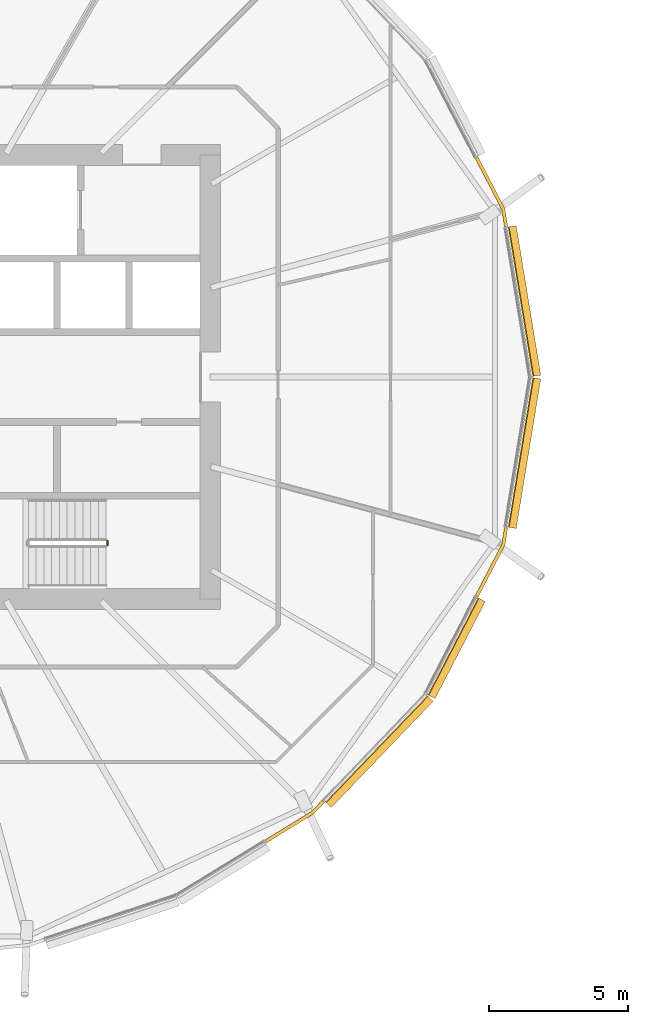
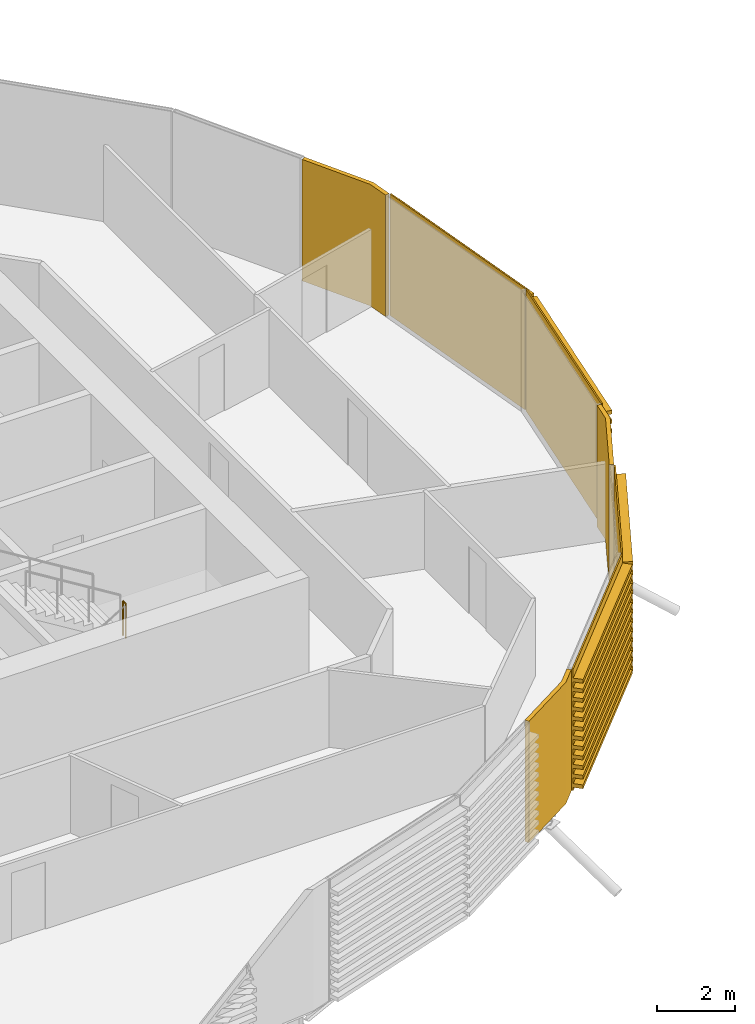
# One storey, part 35 of 39: 7 coverings, 1 railing.
"""IFC4 building model written with IfcOpenShell, lengths in metres."""

from ifc_helpers import new_model, si_unit, direction, frame, origin, origin_2d, place, context, subcontext, project, spatial, polyline, circle, outline, extrude, material, layer, layer_set, material_profile, profile_set, type_object, element, save


model = new_model("IFC4")

# Units and contexts
model_context = context("Model", 3, precision=1e-05, world=origin(), true_north=direction((0.0, 1.0)))
body_context = subcontext(model_context, "Body", "Model", "MODEL_VIEW")
ifc_project = project(units=[si_unit("LENGTHUNIT", "METRE"), si_unit("AREAUNIT", "SQUARE_METRE"), si_unit("VOLUMEUNIT", "CUBIC_METRE"), si_unit("PLANEANGLEUNIT", "RADIAN"), si_unit("MASSUNIT", "GRAM", prefix="KILO")], contexts=[model_context])

# Site, building, storey
site_placement = place(None, origin())
site = spatial("IfcSite", under=ifc_project, at=site_placement, CompositionType="ELEMENT")
building_placement = place(site_placement, origin())
building = spatial("IfcBuilding", under=site, at=building_placement, Name="Rimbun Link Towers", CompositionType="ELEMENT")
storey_placement = place(building_placement, frame((0.0, 0.0, 96.800048828125)))
storey = spatial("IfcBuildingStorey", under=building, at=storey_placement, Name="L23", CompositionType="ELEMENT", Elevation=96.800048828125)

# Coverings
ifc_material_1 = material(Name="Terracotta", Category="masonry")
ifc_layer = layer(ifc_material_1, 0.1201171875)
ifc_layer_set = layer_set([ifc_layer], Name="LINK PIER terracotta cladding 120")
covering_type_1 = type_object("IfcCoveringType", Name="LINK PIER terracotta cladding 120", PredefinedType="CLADDING", material=ifc_layer_set)
covering_1_placement = place(storey_placement, origin())
element("IfcCovering", 1, at=covering_1_placement, inside=storey, type_object=covering_type_1, Name="LINK PIER cladding", PredefinedType="CLADDING", context=body_context, shape_type="SweptSolid", body=[
    extrude(outline(polyline([(-10.198486328125, 7.8681640625), (-9.247314453125, 6.029541015625), (-9.146484375, 5.417724609375), (-9.028076171875, 5.437255859375), (-9.1318359375, 6.06787109375), (-10.091796875, 7.923095703125), (-10.198486328125, 7.8681640625)])), origin(), (0.0, 0.0, 1.0), 3.800048828125),
])
covering_2_placement = place(storey_placement, origin())
element("IfcCovering", 2, at=covering_2_placement, inside=storey, type_object=covering_type_1, Name="LINK PIER cladding", PredefinedType="CLADDING", context=body_context, shape_type="SweptSolid", body=[
    extrude(outline(polyline([(-15.7080078125, -15.236083984375), (-16.102294921875, -15.647705078125), (-17.78125, -16.678466796875), (-17.718505859375, -16.78076171875), (-16.0263671875, -15.74169921875), (-15.621337890625, -15.319091796875), (-15.7080078125, -15.236083984375)])), origin(), (0.0, 0.0, 1.0), 3.800048828125),
])
covering_3_placement = place(storey_placement, origin())
element("IfcCovering", 3, at=covering_3_placement, inside=storey, type_object=covering_type_1, Name="LINK PIER cladding", PredefinedType="CLADDING", context=body_context, shape_type="SweptSolid", body=[
    extrude(outline(polyline([(-9.146484375, -5.417724609375), (-9.247314453125, -6.029541015625), (-10.198486328125, -7.8681640625), (-10.091796875, -7.923095703125), (-9.1318359375, -6.06787109375), (-9.028076171875, -5.437255859375), (-9.146484375, -5.417724609375)])), origin(), (0.0, 0.0, 1.0), 3.800048828125),
])

# Railing
ifc_material_2 = material(Name="Stainless steel grade 316", Category="steel")
railing_type = type_object("IfcRailingType", Name="Stair guard", PredefinedType="GUARDRAIL", material=ifc_material_2)
railing_placement = place(storey_placement, frame((-23.449951171875, -6.050048828125, 1.89990234375)))
element("IfcRailing", 4, at=railing_placement, inside=storey, type_object=railing_type, Name="L23 ST2 stair guard 2", PredefinedType="GUARDRAIL", context=body_context, shape_type="SweptSolid", body=[
    extrude(circle(Radius=0.02392578125, at=origin_2d()), frame((0.0, 0.0, 1.076171875), z_axis=(0.0, 1.0, 0.0), x_axis=(-1.0, 0.0, 0.0)), (0.0, 0.0, 1.0), 0.150146484375),
    extrude(circle(Radius=0.02099609375, at=origin_2d()), origin(), (0.0, 0.0, 1.0), 1.052001953125),
    extrude(circle(Radius=0.02099609375, at=origin_2d()), frame((0.0, 0.150146484375, 0.0)), (0.0, 0.0, 1.0), 1.052001953125),
])

# Coverings
ifc_material_3 = material(Name="Terracotta", Category="masonry")
ifc_material_profile = material_profile(ifc_material_3, outline(polyline([(0.123046875, 0.0), (0.1630859375, 0.0), (0.1630859375, 0.10009765625), (0.423095703125, 0.10009765625), (0.423095703125, 0.219970703125), (0.1630859375, 0.219970703125), (0.1630859375, 0.39990234375), (0.423095703125, 0.39990234375), (0.423095703125, 0.52001953125), (0.1630859375, 0.52001953125), (0.1630859375, 0.699951171875), (0.423095703125, 0.699951171875), (0.423095703125, 0.820068359375), (0.1630859375, 0.820068359375), (0.1630859375, 1.0), (0.423095703125, 1.0), (0.423095703125, 1.1201171875), (0.1630859375, 1.1201171875), (0.1630859375, 1.300048828125), (0.423095703125, 1.300048828125), (0.423095703125, 1.419921875), (0.1630859375, 1.419921875), (0.1630859375, 1.60009765625), (0.423095703125, 1.60009765625), (0.423095703125, 1.719970703125), (0.1630859375, 1.719970703125), (0.1630859375, 1.89990234375), (0.423095703125, 1.89990234375), (0.423095703125, 2.02001953125), (0.1630859375, 2.02001953125), (0.1630859375, 2.199951171875), (0.423095703125, 2.199951171875), (0.423095703125, 2.320068359375), (0.1630859375, 2.320068359375), (0.1630859375, 2.5), (0.423095703125, 2.5), (0.423095703125, 2.6201171875), (0.1630859375, 2.6201171875), (0.1630859375, 2.800048828125), (0.423095703125, 2.800048828125), (0.423095703125, 2.919921875), (0.1630859375, 2.919921875), (0.1630859375, 3.10009765625), (0.423095703125, 3.10009765625), (0.423095703125, 3.219970703125), (0.1630859375, 3.219970703125), (0.1630859375, 3.39990234375), (0.423095703125, 3.39990234375), (0.423095703125, 3.52001953125), (0.1630859375, 3.52001953125), (0.1630859375, 3.800048828125), (0.123046875, 3.800048828125), (0.123046875, 0.0)])), Name="BAGUETTE 120X300")
ifc_profile_set = profile_set([ifc_material_profile], Name="Terracotta")
covering_type_2 = type_object("IfcCoveringType", Name="TERRACOTTA BAGUETTE 120X300 H3800", PredefinedType="CLADDING", material=ifc_profile_set)
covering_4_placement = place(storey_placement, frame((-9.141845703125, 5.38818359375, 0.0), z_axis=(0.162296051621, -0.98674210999, 0.0), x_axis=(0.98674210999, 0.162296051621, 0.0)))
element("IfcCovering", 5, at=covering_4_placement, inside=storey, type_object=covering_type_2, Name="TERRACOTTA BAGUETTE", PredefinedType="CLADDING", context=body_context, shape_type="SweptSolid", body=[
    extrude(outline(polyline([(0.123046875, 0.0), (0.1630859375, 0.0), (0.1630859375, 0.10009765625), (0.423095703125, 0.10009765625), (0.423095703125, 0.219970703125), (0.1630859375, 0.219970703125), (0.1630859375, 0.39990234375), (0.423095703125, 0.39990234375), (0.423095703125, 0.52001953125), (0.1630859375, 0.52001953125), (0.1630859375, 0.699951171875), (0.423095703125, 0.699951171875), (0.423095703125, 0.820068359375), (0.1630859375, 0.820068359375), (0.1630859375, 1.0), (0.423095703125, 1.0), (0.423095703125, 1.1201171875), (0.1630859375, 1.1201171875), (0.1630859375, 1.300048828125), (0.423095703125, 1.300048828125), (0.423095703125, 1.419921875), (0.1630859375, 1.419921875), (0.1630859375, 1.60009765625), (0.423095703125, 1.60009765625), (0.423095703125, 1.719970703125), (0.1630859375, 1.719970703125), (0.1630859375, 1.89990234375), (0.423095703125, 1.89990234375), (0.423095703125, 2.02001953125), (0.1630859375, 2.02001953125), (0.1630859375, 2.199951171875), (0.423095703125, 2.199951171875), (0.423095703125, 2.320068359375), (0.1630859375, 2.320068359375), (0.1630859375, 2.5), (0.423095703125, 2.5), (0.423095703125, 2.6201171875), (0.1630859375, 2.6201171875), (0.1630859375, 2.800048828125), (0.423095703125, 2.800048828125), (0.423095703125, 2.919921875), (0.1630859375, 2.919921875), (0.1630859375, 3.10009765625), (0.423095703125, 3.10009765625), (0.423095703125, 3.219970703125), (0.1630859375, 3.219970703125), (0.1630859375, 3.39990234375), (0.423095703125, 3.39990234375), (0.423095703125, 3.52001953125), (0.1630859375, 3.52001953125), (0.1630859375, 3.800048828125), (0.123046875, 3.800048828125), (0.123046875, 0.0)])), origin(), (0.0, 0.0, 1.0), 5.460693359375),
])
covering_5_placement = place(storey_placement, frame((-12.02099609375, -11.390380859375, 0.0), z_axis=(-0.6920414756, -0.721857739482, 0.0), x_axis=(0.721857739482, -0.6920414756, 0.0)))
element("IfcCovering", 6, at=covering_5_placement, inside=storey, type_object=covering_type_2, Name="TERRACOTTA BAGUETTE", PredefinedType="CLADDING", context=body_context, shape_type="SweptSolid", body=[
    extrude(outline(polyline([(0.123046875, 0.0), (0.1630859375, 0.0), (0.1630859375, 0.10009765625), (0.423095703125, 0.10009765625), (0.423095703125, 0.219970703125), (0.1630859375, 0.219970703125), (0.1630859375, 0.39990234375), (0.423095703125, 0.39990234375), (0.423095703125, 0.52001953125), (0.1630859375, 0.52001953125), (0.1630859375, 0.699951171875), (0.423095703125, 0.699951171875), (0.423095703125, 0.820068359375), (0.1630859375, 0.820068359375), (0.1630859375, 1.0), (0.423095703125, 1.0), (0.423095703125, 1.1201171875), (0.1630859375, 1.1201171875), (0.1630859375, 1.300048828125), (0.423095703125, 1.300048828125), (0.423095703125, 1.419921875), (0.1630859375, 1.419921875), (0.1630859375, 1.60009765625), (0.423095703125, 1.60009765625), (0.423095703125, 1.719970703125), (0.1630859375, 1.719970703125), (0.1630859375, 1.89990234375), (0.423095703125, 1.89990234375), (0.423095703125, 2.02001953125), (0.1630859375, 2.02001953125), (0.1630859375, 2.199951171875), (0.423095703125, 2.199951171875), (0.423095703125, 2.320068359375), (0.1630859375, 2.320068359375), (0.1630859375, 2.5), (0.423095703125, 2.5), (0.423095703125, 2.6201171875), (0.1630859375, 2.6201171875), (0.1630859375, 2.800048828125), (0.423095703125, 2.800048828125), (0.423095703125, 2.919921875), (0.1630859375, 2.919921875), (0.1630859375, 3.10009765625), (0.423095703125, 3.10009765625), (0.423095703125, 3.219970703125), (0.1630859375, 3.219970703125), (0.1630859375, 3.39990234375), (0.423095703125, 3.39990234375), (0.423095703125, 3.52001953125), (0.1630859375, 3.52001953125), (0.1630859375, 3.800048828125), (0.123046875, 3.800048828125), (0.123046875, 0.0)])), origin(), (0.0, 0.0, 1.0), 5.2978515625),
])
covering_6_placement = place(storey_placement, frame((-10.212158203125, -7.894775390625, 0.0), z_axis=(-0.459576472812, -0.888138201879, 0.0), x_axis=(0.888138201879, -0.459576472812, 0.0)))
element("IfcCovering", 7, at=covering_6_placement, inside=storey, type_object=covering_type_2, Name="TERRACOTTA BAGUETTE", PredefinedType="CLADDING", context=body_context, shape_type="SweptSolid", body=[
    extrude(outline(polyline([(0.123046875, 0.0), (0.1630859375, 0.0), (0.1630859375, 0.10009765625), (0.423095703125, 0.10009765625), (0.423095703125, 0.219970703125), (0.1630859375, 0.219970703125), (0.1630859375, 0.39990234375), (0.423095703125, 0.39990234375), (0.423095703125, 0.52001953125), (0.1630859375, 0.52001953125), (0.1630859375, 0.699951171875), (0.423095703125, 0.699951171875), (0.423095703125, 0.820068359375), (0.1630859375, 0.820068359375), (0.1630859375, 1.0), (0.423095703125, 1.0), (0.423095703125, 1.1201171875), (0.1630859375, 1.1201171875), (0.1630859375, 1.300048828125), (0.423095703125, 1.300048828125), (0.423095703125, 1.419921875), (0.1630859375, 1.419921875), (0.1630859375, 1.60009765625), (0.423095703125, 1.60009765625), (0.423095703125, 1.719970703125), (0.1630859375, 1.719970703125), (0.1630859375, 1.89990234375), (0.423095703125, 1.89990234375), (0.423095703125, 2.02001953125), (0.1630859375, 2.02001953125), (0.1630859375, 2.199951171875), (0.423095703125, 2.199951171875), (0.423095703125, 2.320068359375), (0.1630859375, 2.320068359375), (0.1630859375, 2.5), (0.423095703125, 2.5), (0.423095703125, 2.6201171875), (0.1630859375, 2.6201171875), (0.1630859375, 2.800048828125), (0.423095703125, 2.800048828125), (0.423095703125, 2.919921875), (0.1630859375, 2.919921875), (0.1630859375, 3.10009765625), (0.423095703125, 3.10009765625), (0.423095703125, 3.219970703125), (0.1630859375, 3.219970703125), (0.1630859375, 3.39990234375), (0.423095703125, 3.39990234375), (0.423095703125, 3.52001953125), (0.1630859375, 3.52001953125), (0.1630859375, 3.800048828125), (0.123046875, 3.800048828125), (0.123046875, 0.0)])), origin(), (0.0, 0.0, 1.0), 3.935791015625),
])
covering_7_placement = place(storey_placement, frame((-8.255615234375, 0.0, 0.0), z_axis=(-0.162296051621, -0.98674210999, 0.0), x_axis=(0.98674210999, -0.162296051621, 0.0)))
element("IfcCovering", 8, at=covering_7_placement, inside=storey, type_object=covering_type_2, Name="TERRACOTTA BAGUETTE", PredefinedType="CLADDING", context=body_context, shape_type="SweptSolid", body=[
    extrude(outline(polyline([(0.123046875, 0.0), (0.1630859375, 0.0), (0.1630859375, 0.10009765625), (0.423095703125, 0.10009765625), (0.423095703125, 0.219970703125), (0.1630859375, 0.219970703125), (0.1630859375, 0.39990234375), (0.423095703125, 0.39990234375), (0.423095703125, 0.52001953125), (0.1630859375, 0.52001953125), (0.1630859375, 0.699951171875), (0.423095703125, 0.699951171875), (0.423095703125, 0.820068359375), (0.1630859375, 0.820068359375), (0.1630859375, 1.0), (0.423095703125, 1.0), (0.423095703125, 1.1201171875), (0.1630859375, 1.1201171875), (0.1630859375, 1.300048828125), (0.423095703125, 1.300048828125), (0.423095703125, 1.419921875), (0.1630859375, 1.419921875), (0.1630859375, 1.60009765625), (0.423095703125, 1.60009765625), (0.423095703125, 1.719970703125), (0.1630859375, 1.719970703125), (0.1630859375, 1.89990234375), (0.423095703125, 1.89990234375), (0.423095703125, 2.02001953125), (0.1630859375, 2.02001953125), (0.1630859375, 2.199951171875), (0.423095703125, 2.199951171875), (0.423095703125, 2.320068359375), (0.1630859375, 2.320068359375), (0.1630859375, 2.5), (0.423095703125, 2.5), (0.423095703125, 2.6201171875), (0.1630859375, 2.6201171875), (0.1630859375, 2.800048828125), (0.423095703125, 2.800048828125), (0.423095703125, 2.919921875), (0.1630859375, 2.919921875), (0.1630859375, 3.10009765625), (0.423095703125, 3.10009765625), (0.423095703125, 3.219970703125), (0.1630859375, 3.219970703125), (0.1630859375, 3.39990234375), (0.423095703125, 3.39990234375), (0.423095703125, 3.52001953125), (0.1630859375, 3.52001953125), (0.1630859375, 3.800048828125), (0.123046875, 3.800048828125), (0.123046875, 0.0)])), origin(), (0.0, 0.0, 1.0), 5.460693359375),
])

save(model, "model.ifc")
